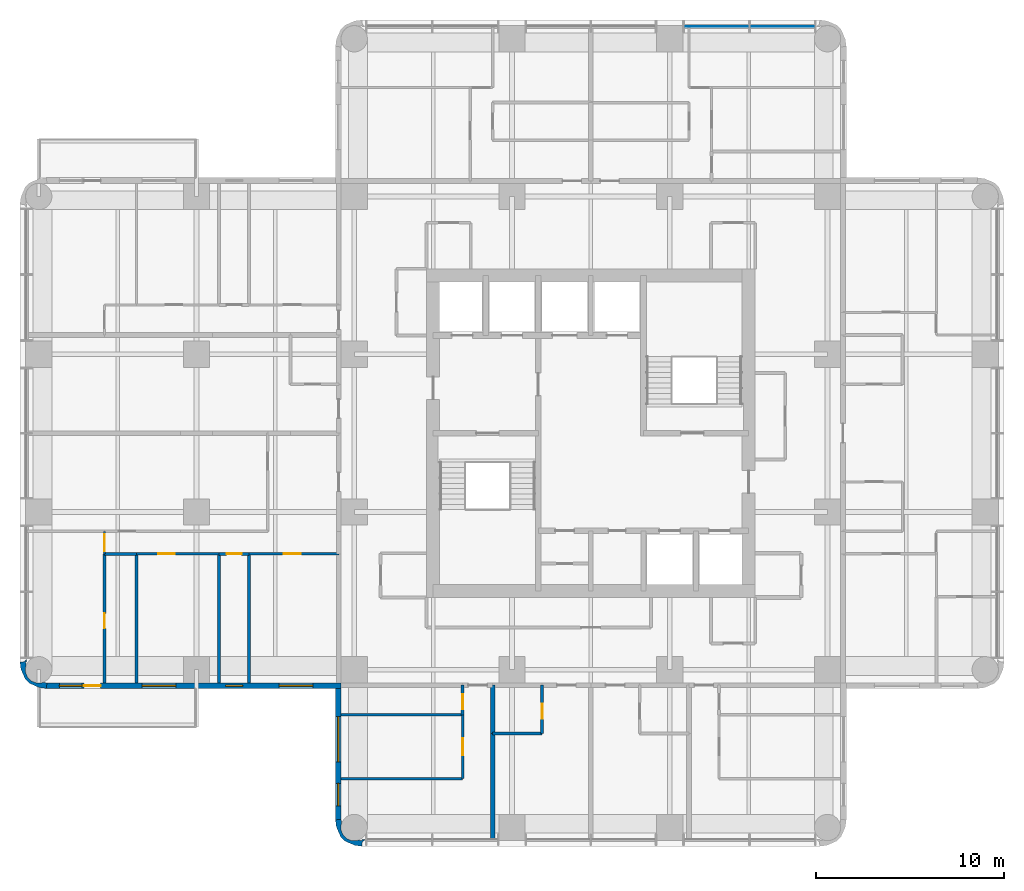
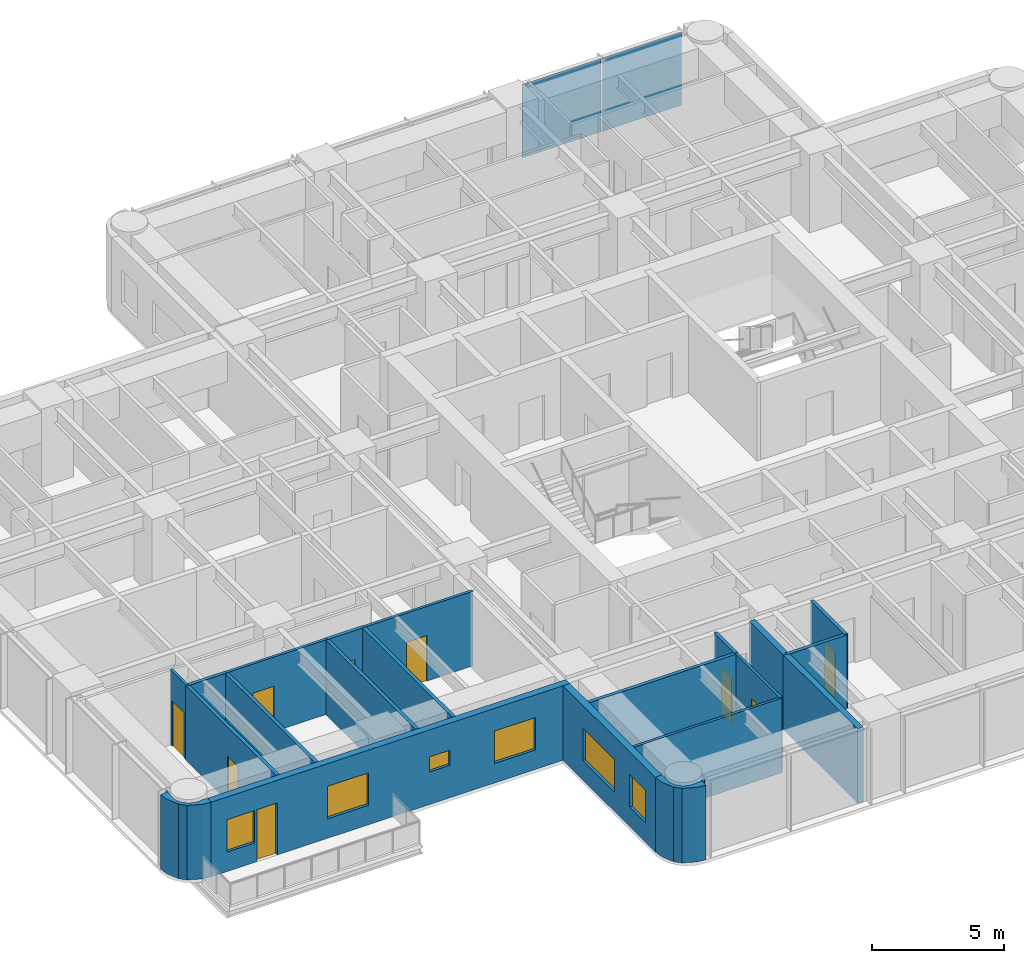
# One storey, part 4 of 11: 21 walls, 9 doors, 6 windows, 2 plates, 15 openings, 1 element without a shape of its own.
"""IFC4 building model written with IfcOpenShell, lengths in metres."""

from ifc_helpers import new_model, si_unit, direction, frame, frame_2d, origin, origin_2d, place, context, subcontext, project, spatial, polyline, rectangle, outline, extrude, material, layer, layer_set, type_object, element, fill, aggregate, save


model = new_model("IFC4")

# Units and contexts
model_context = context("Model", 3, precision=1e-05, world=origin(), true_north=direction((0.0, 1.0)))
body_context = subcontext(model_context, "Body", "Model", "MODEL_VIEW")
ifc_project = project(units=[si_unit("LENGTHUNIT", "METRE"), si_unit("AREAUNIT", "SQUARE_METRE"), si_unit("VOLUMEUNIT", "CUBIC_METRE"), si_unit("PLANEANGLEUNIT", "RADIAN"), si_unit("MASSUNIT", "GRAM", prefix="KILO")], contexts=[model_context])

# Site, building, storey
site_placement = place(None, origin())
site = spatial("IfcSite", under=ifc_project, at=site_placement, CompositionType="ELEMENT")
building_placement = place(site_placement, origin())
building = spatial("IfcBuilding", under=site, at=building_placement, Name="Torre Alcanfor", CompositionType="ELEMENT")
storey_placement = place(building_placement, frame((0.0, 0.0, 233.699951171875)))
storey = spatial("IfcBuildingStorey", under=building, at=storey_placement, Name="L61", CompositionType="ELEMENT", Elevation=233.699951171875)

# Curtain wall, plates
ifc_material_1 = material(Name="Aluminium and glass", Category="aluminium")
curtain_wall_type = type_object("IfcCurtainWallType", Name="CW-A unitised apartment glazing with vertical FIN", PredefinedType="NOTDEFINED", material=ifc_material_1)
curtain_wall_placement = place(storey_placement, origin())
curtain_wall = element("IfcCurtainWall", 1, at=curtain_wall_placement, inside=storey, type_object=curtain_wall_type, Name="Curtain wall CW-A L61 11", PredefinedType="NOTDEFINED")
ifc_material_2 = material(Name="Glass", Category="glass")
ifc_layer_1 = layer(ifc_material_2, 0.028076171875)
ifc_layer_set_1 = layer_set([ifc_layer_1], Name="CW-A clear double glazed unit")
plate_type = type_object("IfcPlateType", Name="CW-A clear double glazed unit", PredefinedType="CURTAIN_PANEL", material=ifc_layer_set_1)
plate_1_placement = place(storey_placement, frame((39.60107421875, 51.050048828125, 0.0), z_axis=(0.0, 0.0, 1.0), x_axis=(-1.0, 0.0, 0.0)))
plate_1 = element("IfcPlate", 2, at=plate_1_placement, type_object=plate_type, Name="CW-A panel 1.1.1", PredefinedType="CURTAIN_PANEL", context=body_context, shape_type="SweptSolid", body=[
    extrude(rectangle(XDim=3.444091796875, YDim=0.028076171875, at=origin_2d()), origin(), (0.0, 0.0, 1.0), 3.385009765625),
])
plate_2_placement = place(storey_placement, frame((36.092041015625, 51.050048828125, 0.0), z_axis=(0.0, 0.0, 1.0), x_axis=(-1.0, 0.0, 0.0)))
plate_2 = element("IfcPlate", 3, at=plate_2_placement, type_object=plate_type, Name="CW-A panel 1.2.1", PredefinedType="CURTAIN_PANEL", context=body_context, shape_type="SweptSolid", body=[
    extrude(rectangle(XDim=3.444091796875, YDim=0.028076171875, at=origin_2d()), origin(), (0.0, 0.0, 1.0), 3.385009765625),
])
aggregate(curtain_wall, [plate_1, plate_2])

# Wall
ifc_material_3 = material(Name="Gypsum board on steel studs", Category="steel")
ifc_layer_2 = layer(ifc_material_3, 0.1201171875)
ifc_layer_set_2 = layer_set([ifc_layer_2], Name="Apartment partition 120")
wall_type_1 = type_object("IfcWallType", Name="Apartment partition 120", PredefinedType="PARTITIONING", material=ifc_layer_set_2)
wall_1_placement = place(storey_placement, frame((16.10009765625, 11.0, 0.0), z_axis=(0.0, 0.0, 1.0), x_axis=(1.0, 0.0, 0.0)))
element("IfcWall", 4, at=wall_1_placement, inside=storey, type_object=wall_type_1, Name="Partition L61-S2B-LIVING / L61-S2B-MASTER", PredefinedType="PARTITIONING", context=body_context, shape_type="SweptSolid", body=[
    extrude(rectangle(XDim=6.470947265625, YDim=0.1201171875, at=frame_2d((3.2353515625, 0.0))), origin(), (0.0, 0.0, 1.0), 3.449951171875),
])

# Wall, opening, door
wall_2_placement = place(storey_placement, frame((22.571044921875, 11.0, 0.0), z_axis=(0.0, 0.0, 1.0), x_axis=(0.0, 1.0, 0.0)))
wall_2 = element("IfcWall", 5, at=wall_2_placement, inside=storey, type_object=wall_type_1, Name="Partition L61-S2B-LIVING / L61-S2B-MASTER", PredefinedType="PARTITIONING", context=body_context, shape_type="SweptSolid", body=[
    extrude(rectangle(XDim=3.39990234375, YDim=0.1201171875, at=frame_2d((1.699951171875, 0.0))), origin(), (0.0, 0.0, 1.0), 3.449951171875),
])
opening_1_placement = place(wall_2_placement, frame((1.25, 0.0, 0.0)))
opening_1 = element("IfcOpeningElement", 6, at=opening_1_placement, cuts=wall_2, Name="Opening D-R1", PredefinedType="OPENING", context=body_context, shape_type="SweptSolid", body=[
    extrude(rectangle(XDim=0.89990234375, YDim=2.10009765625, at=frame_2d((0.449951171875, 1.050048828125))), frame((0.0, 0.070068359375, 0.0), z_axis=(0.0, -1.0, 0.0), x_axis=(1.0, 0.0, 0.0)), (0.0, 0.0, 1.0), 0.14013671875),
])
ifc_material_4 = material(Name="Timber", Category="wood")
door_type_1 = type_object("IfcDoorType", Name="Internal door 900x2100", OperationType="SINGLE_SWING_LEFT", PredefinedType="DOOR", material=ifc_material_4)
door_1_placement = place(opening_1_placement, origin())
door_1 = element("IfcDoor", 7, at=door_1_placement, inside=storey, type_object=door_type_1, Name="Door L61-S2B master", OperationType="SINGLE_SWING_LEFT", OverallHeight=2.10009765625, OverallWidth=0.89990234375, PredefinedType="DOOR", context=body_context, shape_type="SweptSolid", body=[
    extrude(rectangle(XDim=0.89990234375, YDim=2.10009765625, at=frame_2d((0.449951171875, 1.050048828125))), frame((0.0, 0.02490234375, 0.0), z_axis=(0.0, -1.0, 0.0), x_axis=(1.0, 0.0, 0.0)), (0.0, 0.0, 1.0), 0.050048828125),
])
fill(opening_1, door_1)

wall_3_placement = place(storey_placement, frame((11.199951171875, 22.970947265625, 0.0), z_axis=(0.0, 0.0, 1.0), x_axis=(1.0, 0.0, 0.0)))
wall_3 = element("IfcWall", 8, at=wall_3_placement, inside=storey, type_object=wall_type_1, Name="Partition L61-W1-HALL / L61-W1-BED3", PredefinedType="PARTITIONING", context=body_context, shape_type="SweptSolid", body=[
    extrude(rectangle(XDim=4.775146484375, YDim=0.1201171875, at=frame_2d((2.3876953125, 0.0))), origin(), (0.0, 0.0, 1.0), 3.449951171875),
])
opening_2_placement = place(wall_3_placement, frame((1.85009765625, 0.0, 0.0)))
opening_2 = element("IfcOpeningElement", 9, at=opening_2_placement, cuts=wall_3, Name="Opening D-R1", PredefinedType="OPENING", context=body_context, shape_type="SweptSolid", body=[
    extrude(rectangle(XDim=0.89990234375, YDim=2.10009765625, at=frame_2d((0.449951171875, 1.050048828125))), frame((0.0, 0.070068359375, 0.0), z_axis=(0.0, -1.0, 0.0), x_axis=(1.0, 0.0, 0.0)), (0.0, 0.0, 1.0), 0.14013671875),
])
door_2_placement = place(opening_2_placement, frame((0.89990234375, 0.0, 0.0), z_axis=(0.0, 0.0, 1.0), x_axis=(-1.0, 0.0, 0.0)))
door_2 = element("IfcDoor", 10, at=door_2_placement, inside=storey, type_object=door_type_1, Name="Door L61-W1 bed3", OperationType="SINGLE_SWING_RIGHT", OverallHeight=2.10009765625, OverallWidth=0.89990234375, PredefinedType="DOOR", context=body_context, shape_type="SweptSolid", body=[
    extrude(rectangle(XDim=0.89990234375, YDim=2.10009765625, at=frame_2d((0.449951171875, 1.050048828125))), frame((0.0, 0.025146484375, 0.0), z_axis=(0.0, -1.0, 0.0), x_axis=(1.0, 0.0, 0.0)), (0.0, 0.0, 1.0), 0.050048828125),
])
fill(opening_2, door_2)

wall_4_placement = place(storey_placement, frame((5.199951171875, 22.970947265625, 0.0), z_axis=(0.0, 0.0, 1.0), x_axis=(1.0, 0.0, 0.0)))
wall_4 = element("IfcWall", 11, at=wall_4_placement, inside=storey, type_object=wall_type_1, Name="Partition L61-W1-HALL / L61-W1-BED2", PredefinedType="PARTITIONING", context=body_context, shape_type="SweptSolid", body=[
    extrude(rectangle(XDim=4.400146484375, YDim=0.1201171875, at=frame_2d((2.2001953125, 0.0))), origin(), (0.0, 0.0, 1.0), 3.449951171875),
])
opening_3_placement = place(wall_4_placement, frame((1.14990234375, 0.0, 0.0)))
opening_3 = element("IfcOpeningElement", 12, at=opening_3_placement, cuts=wall_4, Name="Opening D-R1", PredefinedType="OPENING", context=body_context, shape_type="SweptSolid", body=[
    extrude(rectangle(XDim=0.89990234375, YDim=2.10009765625, at=frame_2d((0.449951171875, 1.050048828125))), frame((0.0, 0.070068359375, 0.0), z_axis=(0.0, -1.0, 0.0), x_axis=(1.0, 0.0, 0.0)), (0.0, 0.0, 1.0), 0.14013671875),
])
door_3_placement = place(opening_3_placement, frame((0.89990234375, 0.0, 0.0), z_axis=(0.0, 0.0, 1.0), x_axis=(-1.0, 0.0, 0.0)))
door_3 = element("IfcDoor", 13, at=door_3_placement, inside=storey, type_object=door_type_1, Name="Door L61-W1 bed2", OperationType="SINGLE_SWING_RIGHT", OverallHeight=2.10009765625, OverallWidth=0.89990234375, PredefinedType="DOOR", context=body_context, shape_type="SweptSolid", body=[
    extrude(rectangle(XDim=0.89990234375, YDim=2.10009765625, at=frame_2d((0.449951171875, 1.050048828125))), frame((0.0, 0.025146484375, 0.0), z_axis=(0.0, -1.0, 0.0), x_axis=(1.0, 0.0, 0.0)), (0.0, 0.0, 1.0), 0.050048828125),
])
fill(opening_3, door_3)

wall_5_placement = place(storey_placement, frame((3.5, 24.1708984375, 0.0), z_axis=(0.0, 0.0, 1.0), x_axis=(0.0, -1.0, 0.0)))
wall_5 = element("IfcWall", 14, at=wall_5_placement, inside=storey, type_object=wall_type_1, Name="Partition L61-W1-HALL / L61-W1-MASTER", PredefinedType="PARTITIONING", context=body_context, shape_type="SweptSolid", body=[
    extrude(rectangle(XDim=1.199951171875, YDim=0.1201171875, at=frame_2d((0.60009765625, 0.0))), origin(), (0.0, 0.0, 1.0), 3.449951171875),
])
opening_4_placement = place(wall_5_placement, frame((0.15087890625, 0.0, 0.0)))
opening_4 = element("IfcOpeningElement", 15, at=opening_4_placement, cuts=wall_5, Name="Opening D-R1", PredefinedType="OPENING", context=body_context, shape_type="SweptSolid", body=[
    extrude(rectangle(XDim=0.89990234375, YDim=2.10009765625, at=frame_2d((0.449951171875, 1.050048828125))), frame((0.0, 0.070068359375, 0.0), z_axis=(0.0, -1.0, 0.0), x_axis=(1.0, 0.0, 0.0)), (0.0, 0.0, 1.0), 0.14013671875),
])
door_4_placement = place(opening_4_placement, frame((0.89990234375, 0.0, 0.0), z_axis=(0.0, 0.0, 1.0), x_axis=(-1.0, 0.0, 0.0)))
door_4 = element("IfcDoor", 16, at=door_4_placement, inside=storey, type_object=door_type_1, Name="Door L61-W1 master", OperationType="SINGLE_SWING_RIGHT", OverallHeight=2.10009765625, OverallWidth=0.89990234375, PredefinedType="DOOR", context=body_context, shape_type="SweptSolid", body=[
    extrude(rectangle(XDim=0.89990234375, YDim=2.10009765625, at=frame_2d((0.449951171875, 1.050048828125))), frame((0.0, 0.025146484375, 0.0), z_axis=(0.0, -1.0, 0.0), x_axis=(1.0, 0.0, 0.0)), (0.0, 0.0, 1.0), 0.050048828125),
])
fill(opening_4, door_4)

# Wall, openings, door, windows
ifc_material_5 = material(Name="Limestone cladding", Category="masonry")
ifc_layer_3 = layer(ifc_material_5, 0.0400390625, Name="Facing")
ifc_material_6 = material(Name="Ventilated air cavity")
ifc_layer_4 = layer(ifc_material_6, 0.02001953125, ventilated=True, Name="Ventilated joint")
ifc_material_7 = material(Name="Mineral wool insulation", Category="insulation")
ifc_layer_5 = layer(ifc_material_7, 0.10009765625, Name="Insulation")
ifc_material_8 = material(Name="Concrete f'c 35 MPa", Category="concrete")
ifc_layer_6 = layer(ifc_material_8, 0.139892578125, Name="Backing")
ifc_layer_set_3 = layer_set([ifc_layer_3, ifc_layer_4, ifc_layer_5, ifc_layer_6], Name="External wall stone-clad 300")
wall_type_2 = type_object("IfcWallType", Name="External wall stone-clad 300", PredefinedType="SOLIDWALL", material=ifc_layer_set_3)
wall_6_placement = place(storey_placement, frame((0.39990234375, 15.949951171875, 0.0), z_axis=(0.0, 0.0, 1.0), x_axis=(1.0, 0.0, 0.0)))
wall_6 = element("IfcWall", 17, at=wall_6_placement, inside=storey, type_object=wall_type_2, Name="External wall L61 3", PredefinedType="SOLIDWALL", context=body_context, shape_type="SweptSolid", body=[
    extrude(rectangle(XDim=15.7001953125, YDim=0.300048828125, at=frame_2d((7.85009765625, 0.0))), origin(), (0.0, 0.0, 1.0), 3.449951171875),
])
opening_5_placement = place(wall_6_placement, frame((12.39990234375, 0.0, 0.89990234375)))
opening_5 = element("IfcOpeningElement", 18, at=opening_5_placement, cuts=wall_6, Name="Opening W2", PredefinedType="OPENING", context=body_context, shape_type="SweptSolid", body=[
    extrude(rectangle(XDim=1.800048828125, YDim=1.5, at=frame_2d((0.89990234375, 0.75))), frame((0.0, 0.159912109375, 0.0), z_axis=(0.0, -1.0, 0.0), x_axis=(1.0, 0.0, 0.0)), (0.0, 0.0, 1.0), 0.320068359375),
])
opening_6_placement = place(wall_6_placement, frame((9.550048828125, 0.0, 1.5)))
opening_6 = element("IfcOpeningElement", 19, at=opening_6_placement, cuts=wall_6, Name="Opening W3", PredefinedType="OPENING", context=body_context, shape_type="SweptSolid", body=[
    extrude(rectangle(XDim=0.89990234375, YDim=0.699951171875, at=frame_2d((0.449951171875, 0.35009765625))), frame((0.0, 0.159912109375, 0.0), z_axis=(0.0, -1.0, 0.0), x_axis=(1.0, 0.0, 0.0)), (0.0, 0.0, 1.0), 0.320068359375),
])
opening_7_placement = place(wall_6_placement, frame((5.10009765625, 0.0, 0.89990234375)))
opening_7 = element("IfcOpeningElement", 20, at=opening_7_placement, cuts=wall_6, Name="Opening W2", PredefinedType="OPENING", context=body_context, shape_type="SweptSolid", body=[
    extrude(rectangle(XDim=1.800048828125, YDim=1.5, at=frame_2d((0.89990234375, 0.75))), frame((0.0, 0.159912109375, 0.0), z_axis=(0.0, -1.0, 0.0), x_axis=(1.0, 0.0, 0.0)), (0.0, 0.0, 1.0), 0.320068359375),
])
opening_8_placement = place(wall_6_placement, frame((2.0, 0.0, 0.0)))
opening_8 = element("IfcOpeningElement", 21, at=opening_8_placement, cuts=wall_6, Name="Opening D-B1", PredefinedType="OPENING", context=body_context, shape_type="SweptSolid", body=[
    extrude(rectangle(XDim=0.89990234375, YDim=2.39990234375, at=frame_2d((0.449951171875, 1.199951171875))), frame((0.0, 0.159912109375, 0.0), z_axis=(0.0, -1.0, 0.0), x_axis=(1.0, 0.0, 0.0)), (0.0, 0.0, 1.0), 0.320068359375),
])
opening_9_placement = place(wall_6_placement, frame((0.699951171875, 0.0, 0.89990234375)))
opening_9 = element("IfcOpeningElement", 22, at=opening_9_placement, cuts=wall_6, Name="Opening W4", PredefinedType="OPENING", context=body_context, shape_type="SweptSolid", body=[
    extrude(rectangle(XDim=1.199951171875, YDim=1.5, at=frame_2d((0.60009765625, 0.75))), frame((0.0, 0.159912109375, 0.0), z_axis=(0.0, -1.0, 0.0), x_axis=(1.0, 0.0, 0.0)), (0.0, 0.0, 1.0), 0.320068359375),
])
ifc_material_9 = material(Name="Aluminium and glass", Category="aluminium")
door_type_2 = type_object("IfcDoorType", Name="Balcony door glazed 900x2400", OperationType="SINGLE_SWING_LEFT", PredefinedType="DOOR", material=ifc_material_9)
door_5_placement = place(opening_8_placement, origin())
door_5 = element("IfcDoor", 23, at=door_5_placement, inside=storey, type_object=door_type_2, Name="Balcony door L61-W1", OperationType="SINGLE_SWING_RIGHT", OverallHeight=2.39990234375, OverallWidth=0.89990234375, PredefinedType="DOOR", context=body_context, shape_type="SweptSolid", body=[
    extrude(rectangle(XDim=0.89990234375, YDim=2.39990234375, at=frame_2d((0.449951171875, 1.199951171875))), frame((0.0, 0.02490234375, 0.0), z_axis=(0.0, -1.0, 0.0), x_axis=(1.0, 0.0, 0.0)), (0.0, 0.0, 1.0), 0.050048828125),
])
fill(opening_8, door_5)
ifc_material_10 = material(Name="Aluminium frame with clear double glazing", Category="aluminium")
window_type_1 = type_object("IfcWindowType", Name="Window bathroom 900x700", PartitioningType="SINGLE_PANEL", PredefinedType="WINDOW", material=ifc_material_10)
window_1_placement = place(opening_6_placement, origin())
window_1 = element("IfcWindow", 24, at=window_1_placement, inside=storey, type_object=window_type_1, Name="Window W3 L61-W1", OverallHeight=0.699951171875, OverallWidth=0.89990234375, PartitioningType="SINGLE_PANEL", PredefinedType="WINDOW", context=body_context, shape_type="SweptSolid", body=[
    extrude(rectangle(XDim=0.89990234375, YDim=0.699951171875, at=frame_2d((0.449951171875, 0.35009765625))), frame((0.0, 0.030029296875, 0.0), z_axis=(0.0, -1.0, 0.0), x_axis=(1.0, 0.0, 0.0)), (0.0, 0.0, 1.0), 0.06005859375),
])
fill(opening_6, window_1)
ifc_material_11 = material(Name="Aluminium frame with clear double glazing", Category="aluminium")
window_type_2 = type_object("IfcWindowType", Name="Window bedroom 1200x1500", PartitioningType="SINGLE_PANEL", PredefinedType="WINDOW", material=ifc_material_11)
window_2_placement = place(opening_9_placement, origin())
window_2 = element("IfcWindow", 25, at=window_2_placement, inside=storey, type_object=window_type_2, Name="Window W4 L61-W1", OverallHeight=1.5, OverallWidth=1.199951171875, PartitioningType="SINGLE_PANEL", PredefinedType="WINDOW", context=body_context, shape_type="SweptSolid", body=[
    extrude(rectangle(XDim=1.199951171875, YDim=1.5, at=frame_2d((0.60009765625, 0.75))), frame((0.0, 0.030029296875, 0.0), z_axis=(0.0, -1.0, 0.0), x_axis=(1.0, 0.0, 0.0)), (0.0, 0.0, 1.0), 0.06005859375),
])
fill(opening_9, window_2)
ifc_material_12 = material(Name="Aluminium frame with clear double glazing", Category="aluminium")
window_type_3 = type_object("IfcWindowType", Name="Window bedroom 1800x1500", PartitioningType="SINGLE_PANEL", PredefinedType="WINDOW", material=ifc_material_12)
window_3_placement = place(opening_5_placement, origin())
window_3 = element("IfcWindow", 26, at=window_3_placement, inside=storey, type_object=window_type_3, Name="Window W2 L61-W1", OverallHeight=1.5, OverallWidth=1.800048828125, PartitioningType="SINGLE_PANEL", PredefinedType="WINDOW", context=body_context, shape_type="SweptSolid", body=[
    extrude(rectangle(XDim=1.800048828125, YDim=1.5, at=frame_2d((0.89990234375, 0.75))), frame((0.0, 0.030029296875, 0.0), z_axis=(0.0, -1.0, 0.0), x_axis=(1.0, 0.0, 0.0)), (0.0, 0.0, 1.0), 0.06005859375),
])
fill(opening_5, window_3)
window_4_placement = place(opening_7_placement, origin())
window_4 = element("IfcWindow", 27, at=window_4_placement, inside=storey, type_object=window_type_3, Name="Window W2 L61-W1", OverallHeight=1.5, OverallWidth=1.800048828125, PartitioningType="SINGLE_PANEL", PredefinedType="WINDOW", context=body_context, shape_type="SweptSolid", body=[
    extrude(rectangle(XDim=1.800048828125, YDim=1.5, at=frame_2d((0.89990234375, 0.75))), frame((0.0, 0.030029296875, 0.0), z_axis=(0.0, -1.0, 0.0), x_axis=(1.0, 0.0, 0.0)), (0.0, 0.0, 1.0), 0.06005859375),
])
fill(opening_7, window_4)

# Wall, openings, windows
wall_7_placement = place(storey_placement, frame((15.949951171875, 15.800048828125, 0.0), z_axis=(0.0, 0.0, 1.0), x_axis=(0.0, -1.0, 0.0)))
wall_7 = element("IfcWall", 28, at=wall_7_placement, inside=storey, type_object=wall_type_2, Name="External wall L61 4", PredefinedType="SOLIDWALL", context=body_context, shape_type="SweptSolid", body=[
    extrude(rectangle(XDim=7.0, YDim=0.300048828125, at=frame_2d((3.5, 0.0))), origin(), (0.0, 0.0, 1.0), 3.449951171875),
])
opening_10_placement = place(wall_7_placement, frame((1.5, 0.0, 0.89990234375)))
opening_10 = element("IfcOpeningElement", 29, at=opening_10_placement, cuts=wall_7, Name="Opening W1", PredefinedType="OPENING", context=body_context, shape_type="SweptSolid", body=[
    extrude(rectangle(XDim=2.39990234375, YDim=1.5, at=frame_2d((1.199951171875, 0.75))), frame((0.0, 0.159912109375, 0.0), z_axis=(0.0, -1.0, 0.0), x_axis=(1.0, 0.0, 0.0)), (0.0, 0.0, 1.0), 0.320068359375),
])
opening_11_placement = place(wall_7_placement, frame((5.050048828125, 0.0, 0.89990234375)))
opening_11 = element("IfcOpeningElement", 30, at=opening_11_placement, cuts=wall_7, Name="Opening W4", PredefinedType="OPENING", context=body_context, shape_type="SweptSolid", body=[
    extrude(rectangle(XDim=1.199951171875, YDim=1.5, at=frame_2d((0.60009765625, 0.75))), frame((0.0, 0.159912109375, 0.0), z_axis=(0.0, -1.0, 0.0), x_axis=(1.0, 0.0, 0.0)), (0.0, 0.0, 1.0), 0.320068359375),
])
window_5_placement = place(opening_11_placement, origin())
window_5 = element("IfcWindow", 31, at=window_5_placement, inside=storey, type_object=window_type_2, Name="Window W4 L61-S2", OverallHeight=1.5, OverallWidth=1.199951171875, PartitioningType="SINGLE_PANEL", PredefinedType="WINDOW", context=body_context, shape_type="SweptSolid", body=[
    extrude(rectangle(XDim=1.199951171875, YDim=1.5, at=frame_2d((0.60009765625, 0.75))), frame((0.0, 0.030029296875, 0.0), z_axis=(0.0, -1.0, 0.0), x_axis=(1.0, 0.0, 0.0)), (0.0, 0.0, 1.0), 0.06005859375),
])
fill(opening_11, window_5)
ifc_material_13 = material(Name="Aluminium frame with clear double glazing", Category="aluminium")
window_type_4 = type_object("IfcWindowType", Name="Window bedroom 2400x1500", PartitioningType="SINGLE_PANEL", PredefinedType="WINDOW", material=ifc_material_13)
window_6_placement = place(opening_10_placement, origin())
window_6 = element("IfcWindow", 32, at=window_6_placement, inside=storey, type_object=window_type_4, Name="Window W1 L61-S2", OverallHeight=1.5, OverallWidth=2.39990234375, PartitioningType="SINGLE_PANEL", PredefinedType="WINDOW", context=body_context, shape_type="SweptSolid", body=[
    extrude(rectangle(XDim=2.39990234375, YDim=1.5, at=frame_2d((1.199951171875, 0.75))), frame((0.0, 0.030029296875, 0.0), z_axis=(0.0, -1.0, 0.0), x_axis=(1.0, 0.0, 0.0)), (0.0, 0.0, 1.0), 0.06005859375),
])
fill(opening_10, window_6)

# Walls
ifc_material_14 = material(Name="Concrete block masonry, hollow blocks NMX-C-404 9 MPa", Category="masonry")
ifc_layer_7 = layer(ifc_material_14, 0.25)
ifc_layer_set_4 = layer_set([ifc_layer_7], Name="Party wall 250 EI 60")
wall_type_3 = type_object("IfcWallType", Name="Party wall 250 EI 60", PredefinedType="PARTITIONING", material=ifc_layer_set_4)
wall_8_placement = place(storey_placement, frame((24.1708984375, 7.75, 0.0), z_axis=(0.0, 0.0, 1.0), x_axis=(0.0, 1.0, 0.0)))
element("IfcWall", 33, at=wall_8_placement, inside=storey, type_object=wall_type_3, Name="Partition L61-S2A-STUDIO / L61-S2B-LIVING", PredefinedType="PARTITIONING", context=body_context, shape_type="SweptSolid", body=[
    extrude(rectangle(XDim=5.64990234375, YDim=0.25, at=frame_2d((2.824951171875, 0.0))), origin(), (0.0, 0.0, 1.0), 3.449951171875),
])
wall_9_placement = place(storey_placement, frame((24.1708984375, 13.39990234375, 0.0), z_axis=(0.0, 0.0, 1.0), x_axis=(0.0, 1.0, 0.0)))
element("IfcWall", 34, at=wall_9_placement, inside=storey, type_object=wall_type_3, Name="Partition L61-S2A-BATH / L61-S2B-LIVING", PredefinedType="PARTITIONING", context=body_context, shape_type="SweptSolid", body=[
    extrude(rectangle(XDim=2.5751953125, YDim=0.25, at=frame_2d((1.28759765625, 0.0))), origin(), (0.0, 0.0, 1.0), 3.449951171875),
])
ifc_layer_8 = layer(ifc_material_5, 0.0400390625, Name="Facing")
ifc_layer_9 = layer(ifc_material_6, 0.02001953125, ventilated=True, Name="Ventilated joint")
ifc_layer_10 = layer(ifc_material_7, 0.10009765625, Name="Insulation")
ifc_layer_11 = layer(ifc_material_8, 0.139892578125, Name="Backing")
ifc_layer_set_5 = layer_set([ifc_layer_8, ifc_layer_9, ifc_layer_10, ifc_layer_11], Name="Rounded corner pier stone-clad 300")
wall_type_4 = type_object("IfcWallType", Name="Rounded corner pier stone-clad 300", PredefinedType="SOLIDWALL", material=ifc_layer_set_5)
wall_10_placement = place(storey_placement, frame((-0.58815184, 17.312325495, 0.0), z_axis=(0.0, 0.0, 1.0), x_axis=(-0.898030234854, -0.439933741929, 0.0)))
element("IfcWall", 35, at=wall_10_placement, inside=storey, type_object=wall_type_4, Name="Corner pier L61 14", PredefinedType="SOLIDWALL", context=body_context, shape_type="SweptSolid", body=[
    extrude(outline(polyline([(-0.22200099779214466, 1.7927485446039917), (-0.3895203988851006, 1.5406953482066268), (-0.3717615001977944, 1.5319954866108696), (-0.1946893371505769, 1.4145296087243977), (-0.1196378565013686, 1.4095707271395082), (0.13074069042336733, 1.2869134192092004), (0.31532782000916126, 1.0776826467218847), (0.4055826710323692, 0.8140749979758074), (0.38797260783771476, 0.5356152877148042), (0.26531529990740693, 0.28523674079006817), (0.2089410932617622, 0.23564484500123395), (0.1476439801012907, 0.052805298357783616), (0.1048910758540722, 0.07374940960682917), (0.03174779503048235, -0.07555688676422617), (0.13758283616273645, -0.03932073839803114), (0.18192415361672865, -0.0004176855725517292), (0.4192893563182328, -0.08027036234769044), (0.5359265089611867, 0.2660343125058281), (0.55884082549336, 0.63079452952945), (0.5546362328412097, 0.6510690852705474), (0.5662389797265355, 0.8356887018617073), (0.45562482097298596, 1.1592927954286232), (0.3331931039366845, 1.297838781078767), (0.32408874086174466, 1.3164357373584665), (0.08241545456328281, 1.5906055834666009), (-0.22200099779214466, 1.7927485446039917)])), origin(), (0.0, 0.0, 1.0), 3.449951171875),
])
wall_11_placement = place(storey_placement, frame((16.075788181, 8.689684728, 0.0), z_axis=(0.0, 0.0, 1.0), x_axis=(-0.439933741929, -0.898030234854, 0.0)))
element("IfcWall", 36, at=wall_11_placement, inside=storey, type_object=wall_type_4, Name="Corner pier L61 15", PredefinedType="SOLIDWALL", context=body_context, shape_type="SweptSolid", body=[
    extrude(outline(polyline([(0.6637063463257242, 1.5769511452868783), (0.42612189796141386, 1.4969910628130267), (0.381999826170228, 1.536001521337219), (0.2761647850379738, 1.5722376697034142), (0.3493080658615637, 1.4229313733323588), (0.391841724445976, 1.4437680788826912), (0.45335808326925375, 1.261035937937954), (0.5097322899148984, 1.2114440421491197), (0.6323895978452062, 0.9610654952243838), (0.6499996610398608, 0.6826057849633805), (0.5595255643538466, 0.4188907305185901), (0.37515768043085884, 0.20976736372998736), (0.1247791335061229, 0.08711005579967954), (0.04972765285691469, 0.0821511742147902), (-0.1273445101903028, -0.035314703671681595), (-0.14532265454041515, -0.04412197096615204), (0.02219674655254064, -0.2961751673635169), (0.3266131989079681, -0.09403220622612604), (0.56828648520643, 0.18013763988200826), (0.5776100939441761, 0.19884200186042086), (0.6998225653176713, 0.33728058181185155), (0.810655969734027, 0.6609920810774806), (0.7990532228487013, 0.8456116976686404), (0.8030385698380452, 0.8657788477110249), (0.7801242533058719, 1.2305390647346468), (0.6637063463257242, 1.5769511452868783)])), origin(), (0.0, 0.0, 1.0), 3.449951171875),
])
ifc_material_15 = material(Name="Cement board on steel studs", Category="steel")
ifc_layer_12 = layer(ifc_material_15, 0.14990234375)
ifc_layer_set_6 = layer_set([ifc_layer_12], Name="Wet area partition 150")
wall_type_5 = type_object("IfcWallType", Name="Wet area partition 150", PredefinedType="PARTITIONING", material=ifc_layer_set_6)
wall_12_placement = place(storey_placement, frame((24.1708984375, 13.39990234375, 0.0), z_axis=(0.0, 0.0, 1.0), x_axis=(1.0, 0.0, 0.0)))
element("IfcWall", 37, at=wall_12_placement, inside=storey, type_object=wall_type_5, Name="Partition L61-S2A-STUDIO / L61-S2A-BATH", PredefinedType="PARTITIONING", context=body_context, shape_type="SweptSolid", body=[
    extrude(rectangle(XDim=2.629150390625, YDim=0.14990234375, at=frame_2d((1.314453125, 0.0))), origin(), (0.0, 0.0, 1.0), 3.449951171875),
])

# Wall, opening, door
wall_13_placement = place(storey_placement, frame((26.800048828125, 13.39990234375, 0.0), z_axis=(0.0, 0.0, 1.0), x_axis=(0.0, 1.0, 0.0)))
wall_13 = element("IfcWall", 38, at=wall_13_placement, inside=storey, type_object=wall_type_5, Name="Partition L61-S2A-STUDIO / L61-S2A-BATH", PredefinedType="PARTITIONING", context=body_context, shape_type="SweptSolid", body=[
    extrude(rectangle(XDim=2.5751953125, YDim=0.14990234375, at=frame_2d((1.28759765625, 0.0))), origin(), (0.0, 0.0, 1.0), 3.449951171875),
])
opening_12_placement = place(wall_13_placement, frame((0.800048828125, 0.0, 0.0)))
opening_12 = element("IfcOpeningElement", 39, at=opening_12_placement, cuts=wall_13, Name="Opening D-R2", PredefinedType="OPENING", context=body_context, shape_type="SweptSolid", body=[
    extrude(rectangle(XDim=0.800048828125, YDim=2.10009765625, at=frame_2d((0.39990234375, 1.050048828125))), frame((0.0, 0.0849609375, 0.0), z_axis=(0.0, -1.0, 0.0), x_axis=(1.0, 0.0, 0.0)), (0.0, 0.0, 1.0), 0.169921875),
])
ifc_material_16 = material(Name="Timber", Category="wood")
door_type_3 = type_object("IfcDoorType", Name="Bathroom door 800x2100", OperationType="SINGLE_SWING_LEFT", PredefinedType="DOOR", material=ifc_material_16)
door_6_placement = place(opening_12_placement, origin())
door_6 = element("IfcDoor", 40, at=door_6_placement, inside=storey, type_object=door_type_3, Name="Door L61-S2A bath", OperationType="SINGLE_SWING_LEFT", OverallHeight=2.10009765625, OverallWidth=0.800048828125, PredefinedType="DOOR", context=body_context, shape_type="SweptSolid", body=[
    extrude(rectangle(XDim=0.800048828125, YDim=2.10009765625, at=frame_2d((0.39990234375, 1.050048828125))), frame((0.0, 0.02490234375, 0.0), z_axis=(0.0, -1.0, 0.0), x_axis=(1.0, 0.0, 0.0)), (0.0, 0.0, 1.0), 0.050048828125),
])
fill(opening_12, door_6)

wall_14_placement = place(storey_placement, frame((22.571044921875, 14.39990234375, 0.0), z_axis=(0.0, 0.0, 1.0), x_axis=(0.0, 1.0, 0.0)))
wall_14 = element("IfcWall", 41, at=wall_14_placement, inside=storey, type_object=wall_type_5, Name="Partition L61-S2B-LIVING / L61-S2B-BATH", PredefinedType="PARTITIONING", context=body_context, shape_type="SweptSolid", body=[
    extrude(rectangle(XDim=1.5751953125, YDim=0.14990234375, at=frame_2d((0.78759765625, 0.0))), origin(), (0.0, 0.0, 1.0), 3.449951171875),
])
opening_13_placement = place(wall_14_placement, frame((0.300048828125, 0.0, 0.0)))
opening_13 = element("IfcOpeningElement", 42, at=opening_13_placement, cuts=wall_14, Name="Opening D-R2", PredefinedType="OPENING", context=body_context, shape_type="SweptSolid", body=[
    extrude(rectangle(XDim=0.800048828125, YDim=2.10009765625, at=frame_2d((0.39990234375, 1.050048828125))), frame((0.0, 0.0849609375, 0.0), z_axis=(0.0, -1.0, 0.0), x_axis=(1.0, 0.0, 0.0)), (0.0, 0.0, 1.0), 0.169921875),
])
door_7_placement = place(opening_13_placement, origin())
door_7 = element("IfcDoor", 43, at=door_7_placement, inside=storey, type_object=door_type_3, Name="Door L61-S2B bath", OperationType="SINGLE_SWING_LEFT", OverallHeight=2.10009765625, OverallWidth=0.800048828125, PredefinedType="DOOR", context=body_context, shape_type="SweptSolid", body=[
    extrude(rectangle(XDim=0.800048828125, YDim=2.10009765625, at=frame_2d((0.39990234375, 1.050048828125))), frame((0.0, 0.02490234375, 0.0), z_axis=(0.0, -1.0, 0.0), x_axis=(1.0, 0.0, 0.0)), (0.0, 0.0, 1.0), 0.050048828125),
])
fill(opening_13, door_7)

# Wall
wall_15_placement = place(storey_placement, frame((22.571044921875, 14.39990234375, 0.0), z_axis=(0.0, 0.0, 1.0), x_axis=(-1.0, 0.0, 0.0)))
element("IfcWall", 44, at=wall_15_placement, inside=storey, type_object=wall_type_5, Name="Partition L61-S2B-BATH / L61-S2B-MASTER", PredefinedType="PARTITIONING", context=body_context, shape_type="SweptSolid", body=[
    extrude(rectangle(XDim=6.470947265625, YDim=0.14990234375, at=frame_2d((3.2353515625, 0.0))), origin(), (0.0, 0.0, 1.0), 3.449951171875),
])

# Wall, opening, door
wall_16_placement = place(storey_placement, frame((9.60009765625, 22.970947265625, 0.0), z_axis=(0.0, 0.0, 1.0), x_axis=(1.0, 0.0, 0.0)))
wall_16 = element("IfcWall", 45, at=wall_16_placement, inside=storey, type_object=wall_type_5, Name="Partition L61-W1-HALL / L61-W1-BATH1", PredefinedType="PARTITIONING", context=body_context, shape_type="SweptSolid", body=[
    extrude(rectangle(XDim=1.599853515625, YDim=0.14990234375, at=frame_2d((0.7998046875, 0.0))), origin(), (0.0, 0.0, 1.0), 3.449951171875),
])
opening_14_placement = place(wall_16_placement, frame((0.39990234375, 0.0, 0.0)))
opening_14 = element("IfcOpeningElement", 46, at=opening_14_placement, cuts=wall_16, Name="Opening D-R2", PredefinedType="OPENING", context=body_context, shape_type="SweptSolid", body=[
    extrude(rectangle(XDim=0.800048828125, YDim=2.10009765625, at=frame_2d((0.39990234375, 1.050048828125))), frame((0.0, 0.0849609375, 0.0), z_axis=(0.0, -1.0, 0.0), x_axis=(1.0, 0.0, 0.0)), (0.0, 0.0, 1.0), 0.169921875),
])
door_8_placement = place(opening_14_placement, frame((0.800048828125, 0.0, 0.0), z_axis=(0.0, 0.0, 1.0), x_axis=(-1.0, 0.0, 0.0)))
door_8 = element("IfcDoor", 47, at=door_8_placement, inside=storey, type_object=door_type_3, Name="Door L61-W1 bath1", OperationType="SINGLE_SWING_RIGHT", OverallHeight=2.10009765625, OverallWidth=0.800048828125, PredefinedType="DOOR", context=body_context, shape_type="SweptSolid", body=[
    extrude(rectangle(XDim=0.800048828125, YDim=2.10009765625, at=frame_2d((0.400146484375, 1.050048828125))), frame((0.0, 0.025146484375, 0.0), z_axis=(0.0, -1.0, 0.0), x_axis=(1.0, 0.0, 0.0)), (0.0, 0.0, 1.0), 0.050048828125),
])
fill(opening_14, door_8)

# Walls
wall_17_placement = place(storey_placement, frame((3.5, 22.970947265625, 0.0), z_axis=(0.0, 0.0, 1.0), x_axis=(1.0, 0.0, 0.0)))
element("IfcWall", 48, at=wall_17_placement, inside=storey, type_object=wall_type_5, Name="Partition L61-W1-HALL / L61-W1-ENSBATH", PredefinedType="PARTITIONING", context=body_context, shape_type="SweptSolid", body=[
    extrude(rectangle(XDim=1.699951171875, YDim=0.14990234375, at=frame_2d((0.85009765625, 0.0))), origin(), (0.0, 0.0, 1.0), 3.449951171875),
])
for number, where, z_axis, x_axis, name in (
    (49, (11.199951171875, 22.970947265625, 0.0), (0.0, 0.0, 1.0), (0.0, -1.0, 0.0), "Partition L61-W1-BED3 / L61-W1-BATH1"),
    (50, (9.60009765625, 22.970947265625, 0.0), (0.0, 0.0, 1.0), (0.0, -1.0, 0.0), "Partition L61-W1-BATH1 / L61-W1-BED2"),
    (51, (5.199951171875, 22.970947265625, 0.0), (0.0, 0.0, 1.0), (0.0, -1.0, 0.0), "Partition L61-W1-BED2 / L61-W1-ENSBATH"),
):
    element("IfcWall", number, at=place(storey_placement, frame(where, z_axis=z_axis, x_axis=x_axis)), inside=storey, type_object=wall_type_5, Name=name, PredefinedType="PARTITIONING", context=body_context, shape_type="SweptSolid", body=[
        extrude(rectangle(XDim=6.870849609375, YDim=0.14990234375, at=frame_2d((3.435546875, 0.0))), origin(), (0.0, 0.0, 1.0), 3.449951171875),
    ])

# Wall, opening, door
wall_18_placement = place(storey_placement, frame((3.5, 22.970947265625, 0.0), z_axis=(0.0, 0.0, 1.0), x_axis=(0.0, -1.0, 0.0)))
wall_18 = element("IfcWall", 52, at=wall_18_placement, inside=storey, type_object=wall_type_5, Name="Partition L61-W1-ENSBATH / L61-W1-MASTER", PredefinedType="PARTITIONING", context=body_context, shape_type="SweptSolid", body=[
    extrude(rectangle(XDim=6.870849609375, YDim=0.14990234375, at=frame_2d((3.435546875, 0.0))), origin(), (0.0, 0.0, 1.0), 3.449951171875),
])
opening_15_placement = place(wall_18_placement, frame((3.1708984375, 0.0, 0.0)))
opening_15 = element("IfcOpeningElement", 53, at=opening_15_placement, cuts=wall_18, Name="Opening D-R2", PredefinedType="OPENING", context=body_context, shape_type="SweptSolid", body=[
    extrude(rectangle(XDim=0.800048828125, YDim=2.10009765625, at=frame_2d((0.39990234375, 1.050048828125))), frame((0.0, 0.0849609375, 0.0), z_axis=(0.0, -1.0, 0.0), x_axis=(1.0, 0.0, 0.0)), (0.0, 0.0, 1.0), 0.169921875),
])
door_9_placement = place(opening_15_placement, origin())
door_9 = element("IfcDoor", 54, at=door_9_placement, inside=storey, type_object=door_type_3, Name="Door L61-W1 ensbath", OperationType="SINGLE_SWING_RIGHT", OverallHeight=2.10009765625, OverallWidth=0.800048828125, PredefinedType="DOOR", context=body_context, shape_type="SweptSolid", body=[
    extrude(rectangle(XDim=0.800048828125, YDim=2.10009765625, at=frame_2d((0.39990234375, 1.050048828125))), frame((0.0, 0.02490234375, 0.0), z_axis=(0.0, -1.0, 0.0), x_axis=(1.0, 0.0, 0.0)), (0.0, 0.0, 1.0), 0.050048828125),
])
fill(opening_15, door_9)

save(model, "model.ifc")
